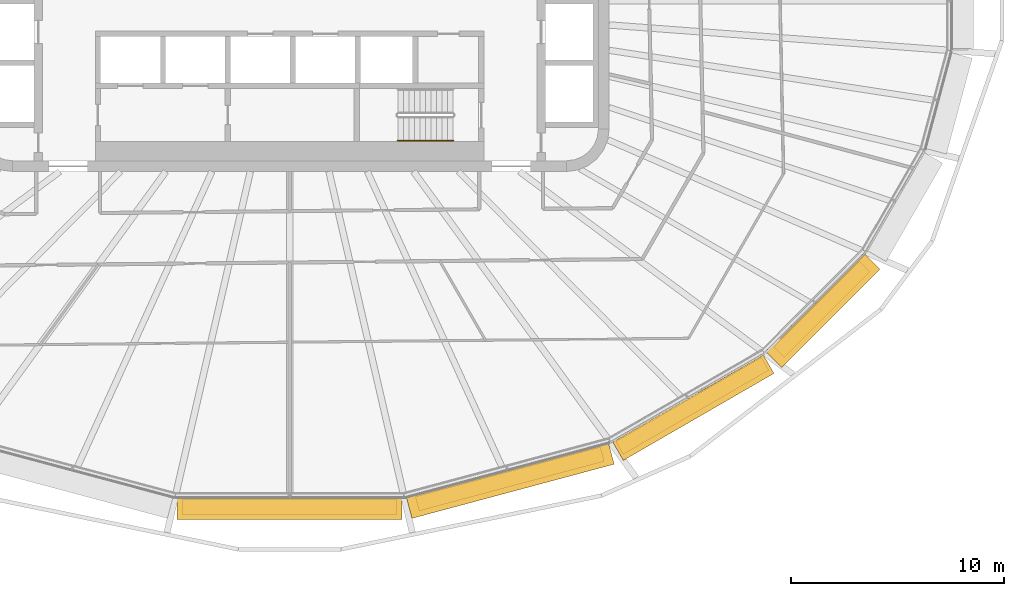
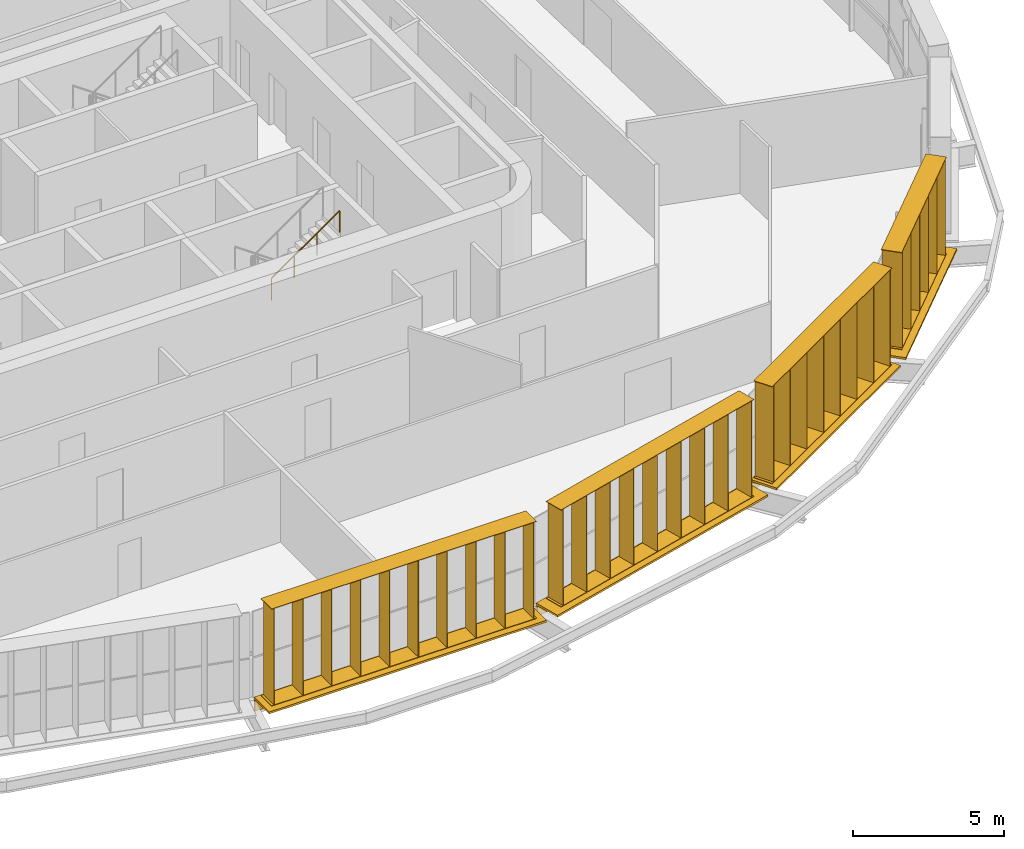
# One storey, part 19 of 22: 8 shading devices, 1 railing.
"""IFC4 building model written with IfcOpenShell, lengths in metres."""

from ifc_helpers import new_model, si_unit, direction, frame, origin, origin_2d, place, context, subcontext, project, spatial, rectangle, circle, extrude, material, type_object, element, save


model = new_model("IFC4")

# Units and contexts
model_context = context("Model", 3, precision=1e-05, world=origin(), true_north=direction((0.0, 1.0)))
body_context = subcontext(model_context, "Body", "Model", "MODEL_VIEW")
ifc_project = project(units=[si_unit("LENGTHUNIT", "METRE"), si_unit("AREAUNIT", "SQUARE_METRE"), si_unit("VOLUMEUNIT", "CUBIC_METRE"), si_unit("PLANEANGLEUNIT", "RADIAN"), si_unit("MASSUNIT", "GRAM", prefix="KILO")], contexts=[model_context])

# Site, building, storey
site_placement = place(None, origin())
site = spatial("IfcSite", under=ifc_project, at=site_placement, CompositionType="ELEMENT")
building_placement = place(site_placement, origin())
building = spatial("IfcBuilding", under=site, at=building_placement, Name="Sahrelin Media Tower", CompositionType="ELEMENT")
storey_placement = place(building_placement, frame((0.0, 0.0, 177.60009765625)))
storey = spatial("IfcBuildingStorey", under=building, at=storey_placement, Name="L37", CompositionType="ELEMENT", Elevation=177.60009765625)

# Shading devices
ifc_material_1 = material(Name="Champagne anodised aluminium 6063-T6", Category="aluminium")
shading_device_type_1 = type_object("IfcShadingDeviceType", Name="Fin cassette", PredefinedType="USERDEFINED", material=ifc_material_1)
placement_1 = place(storey_placement, frame((0.0, -23.32470703125, 0.0), z_axis=(0.0, 0.0, 1.0), x_axis=(-1.0, 0.0, 0.0)))
element("IfcShadingDevice", 1, at=placement_1, inside=storey, type_object=shading_device_type_1, Name="L37:FIN:L37-18", ObjectType="FIN", PredefinedType="USERDEFINED", context=body_context, shape_type="SweptSolid", body=[
    extrude(rectangle(XDim=10.10009765625, YDim=0.699951171875, at=origin_2d()), frame((0.0, 0.419921875, 0.0)), (0.0, 0.0, 1.0), 0.02001953125),
    extrude(rectangle(XDim=10.10009765625, YDim=0.699951171875, at=origin_2d()), frame((0.0, 0.419921875, 3.89990234375)), (0.0, 0.0, 1.0), 0.02001953125),
    extrude(rectangle(XDim=0.02001953125, YDim=0.699951171875, at=origin_2d()), frame((-4.949951171875, 0.419921875, 0.010009765625), z_axis=(0.0, 0.0, 1.0), x_axis=(1.0, 0.0, 0.0)), (0.0, 0.0, 1.0), 3.89990234375),
    extrude(rectangle(XDim=0.02001953125, YDim=0.699951171875, at=origin_2d()), frame((-3.85009765625, 0.419921875, 0.010009765625), z_axis=(0.0, 0.0, 1.0), x_axis=(1.0, 0.0, 0.0)), (0.0, 0.0, 1.0), 3.89990234375),
    extrude(rectangle(XDim=0.02001953125, YDim=0.699951171875, at=origin_2d()), frame((-2.75, 0.419921875, 0.010009765625), z_axis=(0.0, 0.0, 1.0), x_axis=(1.0, 0.0, 0.0)), (0.0, 0.0, 1.0), 3.89990234375),
    extrude(rectangle(XDim=0.02001953125, YDim=0.699951171875, at=origin_2d()), frame((-1.64990234375, 0.419921875, 0.010009765625), z_axis=(0.0, 0.0, 1.0), x_axis=(1.0, 0.0, 0.0)), (0.0, 0.0, 1.0), 3.89990234375),
    extrude(rectangle(XDim=0.02001953125, YDim=0.699951171875, at=origin_2d()), frame((-0.550048828125, 0.419921875, 0.010009765625), z_axis=(0.0, 0.0, 1.0), x_axis=(1.0, 0.0, 0.0)), (0.0, 0.0, 1.0), 3.89990234375),
    extrude(rectangle(XDim=0.02001953125, YDim=0.699951171875, at=origin_2d()), frame((0.550048828125, 0.419921875, 0.010009765625), z_axis=(0.0, 0.0, 1.0), x_axis=(1.0, 0.0, 0.0)), (0.0, 0.0, 1.0), 3.89990234375),
    extrude(rectangle(XDim=0.02001953125, YDim=0.699951171875, at=origin_2d()), frame((1.64990234375, 0.419921875, 0.010009765625), z_axis=(0.0, 0.0, 1.0), x_axis=(1.0, 0.0, 0.0)), (0.0, 0.0, 1.0), 3.89990234375),
    extrude(rectangle(XDim=0.02001953125, YDim=0.699951171875, at=origin_2d()), frame((2.75, 0.419921875, 0.010009765625), z_axis=(0.0, 0.0, 1.0), x_axis=(1.0, 0.0, 0.0)), (0.0, 0.0, 1.0), 3.89990234375),
    extrude(rectangle(XDim=0.02001953125, YDim=0.699951171875, at=origin_2d()), frame((3.85009765625, 0.419921875, 0.010009765625), z_axis=(0.0, 0.0, 1.0), x_axis=(1.0, 0.0, 0.0)), (0.0, 0.0, 1.0), 3.89990234375),
    extrude(rectangle(XDim=0.02001953125, YDim=0.699951171875, at=origin_2d()), frame((4.949951171875, 0.419921875, 0.010009765625), z_axis=(0.0, 0.0, 1.0), x_axis=(1.0, 0.0, 0.0)), (0.0, 0.0, 1.0), 3.89990234375),
])
placement_2 = place(storey_placement, frame((10.22509765625, -22.027099609375, 0.0), z_axis=(0.0, 0.0, 1.0), x_axis=(-0.965928857556, -0.258807731996, 0.0)))
element("IfcShadingDevice", 2, at=placement_2, inside=storey, type_object=shading_device_type_1, Name="L37:FIN:L37-19", ObjectType="FIN", PredefinedType="USERDEFINED", context=body_context, shape_type="SweptSolid", body=[
    extrude(rectangle(XDim=9.0, YDim=0.699951171875, at=origin_2d()), frame((0.0, 0.419921875, 0.0)), (0.0, 0.0, 1.0), 0.02001953125),
    extrude(rectangle(XDim=9.0, YDim=0.699951171875, at=origin_2d()), frame((0.0, 0.419921875, 3.89990234375)), (0.0, 0.0, 1.0), 0.02001953125),
    extrude(rectangle(XDim=0.02001953125, YDim=0.699951171875, at=origin_2d()), frame((-4.39990234375, 0.419921875, 0.010009765625), z_axis=(0.0, 0.0, 1.0), x_axis=(1.0, 0.0, 0.0)), (0.0, 0.0, 1.0), 3.89990234375),
    extrude(rectangle(XDim=0.02001953125, YDim=0.699951171875, at=origin_2d()), frame((-3.300048828125, 0.419921875, 0.010009765625), z_axis=(0.0, 0.0, 1.0), x_axis=(1.0, 0.0, 0.0)), (0.0, 0.0, 1.0), 3.89990234375),
    extrude(rectangle(XDim=0.02001953125, YDim=0.699951171875, at=origin_2d()), frame((-2.199951171875, 0.419921875, 0.010009765625), z_axis=(0.0, 0.0, 1.0), x_axis=(1.0, 0.0, 0.0)), (0.0, 0.0, 1.0), 3.89990234375),
    extrude(rectangle(XDim=0.02001953125, YDim=0.699951171875, at=origin_2d()), frame((-1.10009765625, 0.419921875, 0.010009765625), z_axis=(0.0, 0.0, 1.0), x_axis=(1.0, 0.0, 0.0)), (0.0, 0.0, 1.0), 3.89990234375),
    extrude(rectangle(XDim=0.02001953125, YDim=0.699951171875, at=origin_2d()), frame((0.0, 0.419921875, 0.010009765625), z_axis=(0.0, 0.0, 1.0), x_axis=(1.0, 0.0, 0.0)), (0.0, 0.0, 1.0), 3.89990234375),
    extrude(rectangle(XDim=0.02001953125, YDim=0.699951171875, at=origin_2d()), frame((1.10009765625, 0.419921875, 0.010009765625), z_axis=(0.0, 0.0, 1.0), x_axis=(1.0, 0.0, 0.0)), (0.0, 0.0, 1.0), 3.89990234375),
    extrude(rectangle(XDim=0.02001953125, YDim=0.699951171875, at=origin_2d()), frame((2.199951171875, 0.419921875, 0.010009765625), z_axis=(0.0, 0.0, 1.0), x_axis=(1.0, 0.0, 0.0)), (0.0, 0.0, 1.0), 3.89990234375),
    extrude(rectangle(XDim=0.02001953125, YDim=0.699951171875, at=origin_2d()), frame((3.300048828125, 0.419921875, 0.010009765625), z_axis=(0.0, 0.0, 1.0), x_axis=(1.0, 0.0, 0.0)), (0.0, 0.0, 1.0), 3.89990234375),
    extrude(rectangle(XDim=0.02001953125, YDim=0.699951171875, at=origin_2d()), frame((4.39990234375, 0.419921875, 0.010009765625), z_axis=(0.0, 0.0, 1.0), x_axis=(1.0, 0.0, 0.0)), (0.0, 0.0, 1.0), 3.89990234375),
])
placement_3 = place(storey_placement, frame((18.691162109375, -18.6376953125, 0.0), z_axis=(0.0, 0.0, 1.0), x_axis=(-0.866019052629, -0.500011000363, 0.0)))
element("IfcShadingDevice", 3, at=placement_3, inside=storey, type_object=shading_device_type_1, Name="L37:FIN:L37-20", ObjectType="FIN", PredefinedType="USERDEFINED", context=body_context, shape_type="SweptSolid", body=[
    extrude(rectangle(XDim=7.89990234375, YDim=0.699951171875, at=origin_2d()), frame((0.0, 0.419921875, 0.0)), (0.0, 0.0, 1.0), 0.02001953125),
    extrude(rectangle(XDim=7.89990234375, YDim=0.699951171875, at=origin_2d()), frame((0.0, 0.419921875, 3.89990234375)), (0.0, 0.0, 1.0), 0.02001953125),
    extrude(rectangle(XDim=0.02001953125, YDim=0.699951171875, at=origin_2d()), frame((-3.85009765625, 0.419921875, 0.010009765625), z_axis=(0.0, 0.0, 1.0), x_axis=(1.0, 0.0, 0.0)), (0.0, 0.0, 1.0), 3.89990234375),
    extrude(rectangle(XDim=0.02001953125, YDim=0.699951171875, at=origin_2d()), frame((-2.75, 0.419921875, 0.010009765625), z_axis=(0.0, 0.0, 1.0), x_axis=(1.0, 0.0, 0.0)), (0.0, 0.0, 1.0), 3.89990234375),
    extrude(rectangle(XDim=0.02001953125, YDim=0.699951171875, at=origin_2d()), frame((-1.64990234375, 0.419921875, 0.010009765625), z_axis=(0.0, 0.0, 1.0), x_axis=(1.0, 0.0, 0.0)), (0.0, 0.0, 1.0), 3.89990234375),
    extrude(rectangle(XDim=0.02001953125, YDim=0.699951171875, at=origin_2d()), frame((-0.550048828125, 0.419921875, 0.010009765625), z_axis=(0.0, 0.0, 1.0), x_axis=(1.0, 0.0, 0.0)), (0.0, 0.0, 1.0), 3.89990234375),
    extrude(rectangle(XDim=0.02001953125, YDim=0.699951171875, at=origin_2d()), frame((0.550048828125, 0.419921875, 0.010009765625), z_axis=(0.0, 0.0, 1.0), x_axis=(1.0, 0.0, 0.0)), (0.0, 0.0, 1.0), 3.89990234375),
    extrude(rectangle(XDim=0.02001953125, YDim=0.699951171875, at=origin_2d()), frame((1.64990234375, 0.419921875, 0.010009765625), z_axis=(0.0, 0.0, 1.0), x_axis=(1.0, 0.0, 0.0)), (0.0, 0.0, 1.0), 3.89990234375),
    extrude(rectangle(XDim=0.02001953125, YDim=0.699951171875, at=origin_2d()), frame((2.75, 0.419921875, 0.010009765625), z_axis=(0.0, 0.0, 1.0), x_axis=(1.0, 0.0, 0.0)), (0.0, 0.0, 1.0), 3.89990234375),
    extrude(rectangle(XDim=0.02001953125, YDim=0.699951171875, at=origin_2d()), frame((3.85009765625, 0.419921875, 0.010009765625), z_axis=(0.0, 0.0, 1.0), x_axis=(1.0, 0.0, 0.0)), (0.0, 0.0, 1.0), 3.89990234375),
])
placement_4 = place(storey_placement, frame((24.688232421875, -14.172119140625, 0.0), z_axis=(0.0, 0.0, 1.0), x_axis=(-0.707106781187, -0.707106781187, 0.0)))
element("IfcShadingDevice", 4, at=placement_4, inside=storey, type_object=shading_device_type_1, Name="L37:FIN:L37-21", ObjectType="FIN", PredefinedType="USERDEFINED", context=body_context, shape_type="SweptSolid", body=[
    extrude(rectangle(XDim=5.699951171875, YDim=0.699951171875, at=origin_2d()), frame((0.0, 0.419921875, 0.0)), (0.0, 0.0, 1.0), 0.02001953125),
    extrude(rectangle(XDim=5.699951171875, YDim=0.699951171875, at=origin_2d()), frame((0.0, 0.419921875, 3.89990234375)), (0.0, 0.0, 1.0), 0.02001953125),
    extrude(rectangle(XDim=0.02001953125, YDim=0.699951171875, at=origin_2d()), frame((-2.75, 0.419921875, 0.010009765625), z_axis=(0.0, 0.0, 1.0), x_axis=(1.0, 0.0, 0.0)), (0.0, 0.0, 1.0), 3.89990234375),
    extrude(rectangle(XDim=0.02001953125, YDim=0.699951171875, at=origin_2d()), frame((-1.64990234375, 0.419921875, 0.010009765625), z_axis=(0.0, 0.0, 1.0), x_axis=(1.0, 0.0, 0.0)), (0.0, 0.0, 1.0), 3.89990234375),
    extrude(rectangle(XDim=0.02001953125, YDim=0.699951171875, at=origin_2d()), frame((-0.550048828125, 0.419921875, 0.010009765625), z_axis=(0.0, 0.0, 1.0), x_axis=(1.0, 0.0, 0.0)), (0.0, 0.0, 1.0), 3.89990234375),
    extrude(rectangle(XDim=0.02001953125, YDim=0.699951171875, at=origin_2d()), frame((0.550048828125, 0.419921875, 0.010009765625), z_axis=(0.0, 0.0, 1.0), x_axis=(1.0, 0.0, 0.0)), (0.0, 0.0, 1.0), 3.89990234375),
    extrude(rectangle(XDim=0.02001953125, YDim=0.699951171875, at=origin_2d()), frame((1.64990234375, 0.419921875, 0.010009765625), z_axis=(0.0, 0.0, 1.0), x_axis=(1.0, 0.0, 0.0)), (0.0, 0.0, 1.0), 3.89990234375),
    extrude(rectangle(XDim=0.02001953125, YDim=0.699951171875, at=origin_2d()), frame((2.75, 0.419921875, 0.010009765625), z_axis=(0.0, 0.0, 1.0), x_axis=(1.0, 0.0, 0.0)), (0.0, 0.0, 1.0), 3.89990234375),
])

# Railing
ifc_material_2 = material(Name="Steel S355", Category="steel")
railing_type = type_object("IfcRailingType", Name="Stair handrail 900", PredefinedType="HANDRAIL", material=ifc_material_2)
railing_placement = place(storey_placement, frame((5.074951171875, -6.550048828125, 2.181640625)))
element("IfcRailing", 5, at=railing_placement, inside=storey, type_object=railing_type, Name="L37 ST2 stair handrail 2", PredefinedType="HANDRAIL", context=body_context, shape_type="SweptSolid", body=[
    extrude(circle(Radius=0.02392578125, at=origin_2d()), frame((0.0, 0.0, 0.8759765625), z_axis=(0.819484887739, 0.0, 0.573100792852), x_axis=(0.0, 1.0, 0.0)), (0.0, 0.0, 1.0), 3.1728515625),
    extrude(circle(Radius=0.02099609375, at=origin_2d()), origin(), (0.0, 0.0, 1.0), 0.851806640625),
    extrude(circle(Radius=0.02099609375, at=origin_2d()), frame((0.86669921875, 0.0, 0.606201171875)), (0.0, 0.0, 1.0), 0.851806640625),
    extrude(circle(Radius=0.02099609375, at=origin_2d()), frame((1.7333984375, 0.0, 1.212158203125)), (0.0, 0.0, 1.0), 0.851806640625),
    extrude(circle(Radius=0.02099609375, at=origin_2d()), frame((2.60009765625, 0.0, 1.818359375)), (0.0, 0.0, 1.0), 0.851806640625),
])

# Shading devices
shading_device_type_2 = type_object("IfcShadingDeviceType", Name="Sunshade band", PredefinedType="USERDEFINED", material=ifc_material_1)
element("IfcShadingDevice", 6, at=placement_1, inside=storey, type_object=shading_device_type_2, Name="L37:SUN:L37-18", ObjectType="SUNSHADE", PredefinedType="USERDEFINED", context=body_context, shape_type="SweptSolid", body=[
    extrude(rectangle(XDim=10.565185546875, YDim=0.050048828125, at=origin_2d()), frame((0.0, 0.044921875, -0.55126953125)), (0.0, 0.0, 1.0), 0.471435546875),
    extrude(rectangle(XDim=10.565185546875, YDim=1.0, at=origin_2d()), frame((0.0, 0.52001953125, -0.080078125)), (0.0, 0.0, 1.0), 0.080078125),
    extrude(rectangle(XDim=0.10009765625, YDim=0.074951171875, at=origin_2d()), frame((-5.1826171875, -0.017578125, -0.47021484375)), (0.0, 0.0, 1.0), 0.300048828125),
    extrude(rectangle(XDim=0.10009765625, YDim=0.074951171875, at=origin_2d()), frame((-3.455078125, -0.017578125, -0.47021484375)), (0.0, 0.0, 1.0), 0.300048828125),
    extrude(rectangle(XDim=0.10009765625, YDim=0.074951171875, at=origin_2d()), frame((-1.7275390625, -0.017578125, -0.47021484375)), (0.0, 0.0, 1.0), 0.300048828125),
    extrude(rectangle(XDim=0.10009765625, YDim=0.074951171875, at=origin_2d()), frame((0.0, -0.017578125, -0.47021484375)), (0.0, 0.0, 1.0), 0.300048828125),
    extrude(rectangle(XDim=0.10009765625, YDim=0.074951171875, at=origin_2d()), frame((1.7275390625, -0.017578125, -0.47021484375)), (0.0, 0.0, 1.0), 0.300048828125),
    extrude(rectangle(XDim=0.10009765625, YDim=0.074951171875, at=origin_2d()), frame((3.455078125, -0.017578125, -0.47021484375)), (0.0, 0.0, 1.0), 0.300048828125),
    extrude(rectangle(XDim=0.10009765625, YDim=0.074951171875, at=origin_2d()), frame((5.1826171875, -0.017578125, -0.47021484375)), (0.0, 0.0, 1.0), 0.300048828125),
])
element("IfcShadingDevice", 7, at=placement_2, inside=storey, type_object=shading_device_type_2, Name="L37:SUN:L37-19", ObjectType="SUNSHADE", PredefinedType="USERDEFINED", context=body_context, shape_type="SweptSolid", body=[
    extrude(rectangle(XDim=9.826904296875, YDim=0.050048828125, at=origin_2d()), frame((0.0, 0.044921875, -0.55126953125)), (0.0, 0.0, 1.0), 0.471435546875),
    extrude(rectangle(XDim=9.826904296875, YDim=1.0, at=origin_2d()), frame((0.0, 0.52001953125, -0.080078125)), (0.0, 0.0, 1.0), 0.080078125),
    extrude(rectangle(XDim=0.10009765625, YDim=0.074951171875, at=origin_2d()), frame((-4.8134765625, -0.017578125, -0.47021484375)), (0.0, 0.0, 1.0), 0.300048828125),
    extrude(rectangle(XDim=0.10009765625, YDim=0.074951171875, at=origin_2d()), frame((-2.88818359375, -0.017578125, -0.47021484375)), (0.0, 0.0, 1.0), 0.300048828125),
    extrude(rectangle(XDim=0.10009765625, YDim=0.074951171875, at=origin_2d()), frame((-0.962646484375, -0.017578125, -0.47021484375)), (0.0, 0.0, 1.0), 0.300048828125),
    extrude(rectangle(XDim=0.10009765625, YDim=0.074951171875, at=origin_2d()), frame((0.962646484375, -0.017578125, -0.47021484375)), (0.0, 0.0, 1.0), 0.300048828125),
    extrude(rectangle(XDim=0.10009765625, YDim=0.074951171875, at=origin_2d()), frame((2.88818359375, -0.017578125, -0.47021484375)), (0.0, 0.0, 1.0), 0.300048828125),
    extrude(rectangle(XDim=0.10009765625, YDim=0.074951171875, at=origin_2d()), frame((4.8134765625, -0.017578125, -0.47021484375)), (0.0, 0.0, 1.0), 0.300048828125),
])
element("IfcShadingDevice", 8, at=placement_3, inside=storey, type_object=shading_device_type_2, Name="L37:SUN:L37-20", ObjectType="SUNSHADE", PredefinedType="USERDEFINED", context=body_context, shape_type="SweptSolid", body=[
    extrude(rectangle(XDim=8.16748046875, YDim=0.050048828125, at=origin_2d()), frame((0.0, 0.044921875, -0.55126953125)), (0.0, 0.0, 1.0), 0.471435546875),
    extrude(rectangle(XDim=8.16748046875, YDim=1.0, at=origin_2d()), frame((0.0, 0.52001953125, -0.080078125)), (0.0, 0.0, 1.0), 0.080078125),
    extrude(rectangle(XDim=0.10009765625, YDim=0.074951171875, at=origin_2d()), frame((-3.98388671875, -0.017578125, -0.47021484375)), (0.0, 0.0, 1.0), 0.300048828125),
    extrude(rectangle(XDim=0.10009765625, YDim=0.074951171875, at=origin_2d()), frame((-2.390380859375, -0.017578125, -0.47021484375)), (0.0, 0.0, 1.0), 0.300048828125),
    extrude(rectangle(XDim=0.10009765625, YDim=0.074951171875, at=origin_2d()), frame((-0.796875, -0.017578125, -0.47021484375)), (0.0, 0.0, 1.0), 0.300048828125),
    extrude(rectangle(XDim=0.10009765625, YDim=0.074951171875, at=origin_2d()), frame((0.796875, -0.017578125, -0.47021484375)), (0.0, 0.0, 1.0), 0.300048828125),
    extrude(rectangle(XDim=0.10009765625, YDim=0.074951171875, at=origin_2d()), frame((2.390380859375, -0.017578125, -0.47021484375)), (0.0, 0.0, 1.0), 0.300048828125),
    extrude(rectangle(XDim=0.10009765625, YDim=0.074951171875, at=origin_2d()), frame((3.98388671875, -0.017578125, -0.47021484375)), (0.0, 0.0, 1.0), 0.300048828125),
])
element("IfcShadingDevice", 9, at=placement_4, inside=storey, type_object=shading_device_type_2, Name="L37:SUN:L37-21", ObjectType="SUNSHADE", PredefinedType="USERDEFINED", context=body_context, shape_type="SweptSolid", body=[
    extrude(rectangle(XDim=6.513916015625, YDim=0.050048828125, at=origin_2d()), frame((0.0, 0.044921875, -0.55126953125)), (0.0, 0.0, 1.0), 0.471435546875),
    extrude(rectangle(XDim=6.513916015625, YDim=1.0, at=origin_2d()), frame((0.0, 0.52001953125, -0.080078125)), (0.0, 0.0, 1.0), 0.080078125),
    extrude(rectangle(XDim=0.10009765625, YDim=0.074951171875, at=origin_2d()), frame((-3.156982421875, -0.017578125, -0.47021484375)), (0.0, 0.0, 1.0), 0.300048828125),
    extrude(rectangle(XDim=0.10009765625, YDim=0.074951171875, at=origin_2d()), frame((-1.578369140625, -0.017578125, -0.47021484375)), (0.0, 0.0, 1.0), 0.300048828125),
    extrude(rectangle(XDim=0.10009765625, YDim=0.074951171875, at=origin_2d()), frame((0.0, -0.017578125, -0.47021484375)), (0.0, 0.0, 1.0), 0.300048828125),
    extrude(rectangle(XDim=0.10009765625, YDim=0.074951171875, at=origin_2d()), frame((1.578369140625, -0.017578125, -0.47021484375)), (0.0, 0.0, 1.0), 0.300048828125),
    extrude(rectangle(XDim=0.10009765625, YDim=0.074951171875, at=origin_2d()), frame((3.156982421875, -0.017578125, -0.47021484375)), (0.0, 0.0, 1.0), 0.300048828125),
])

save(model, "model.ifc")
